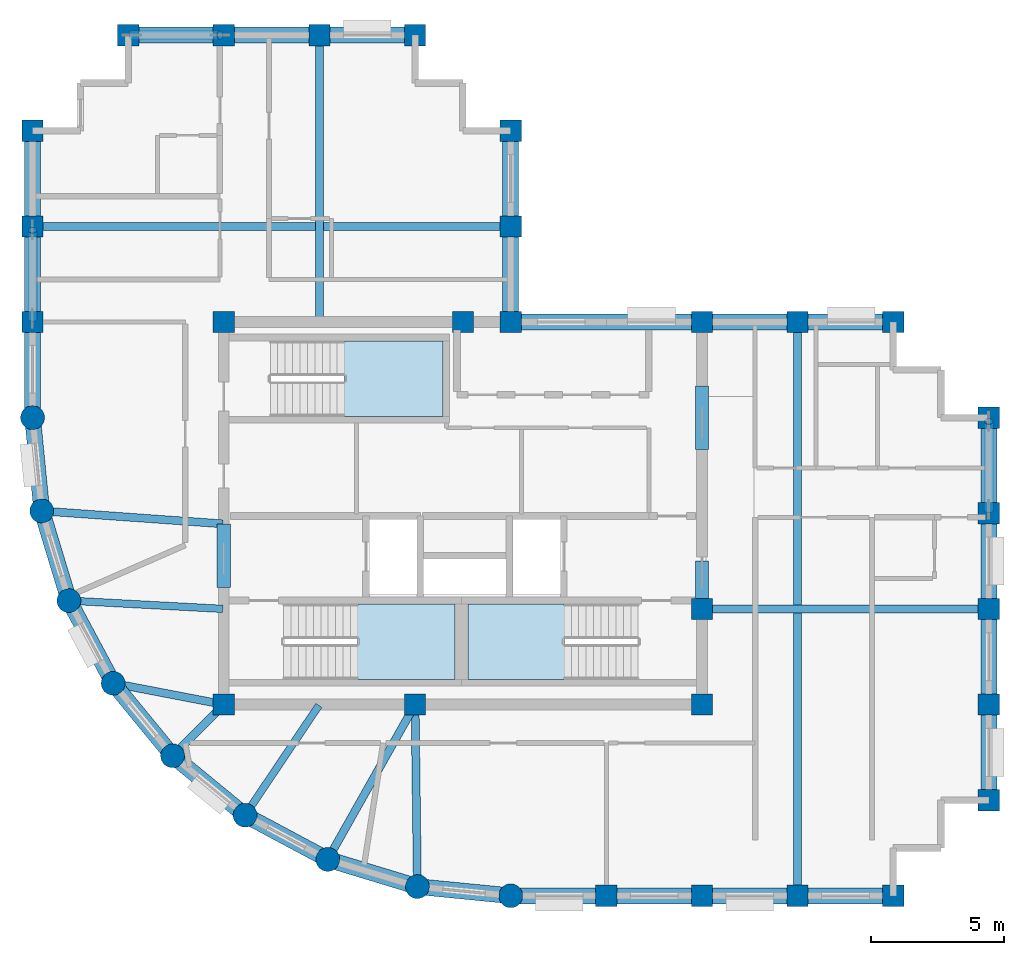
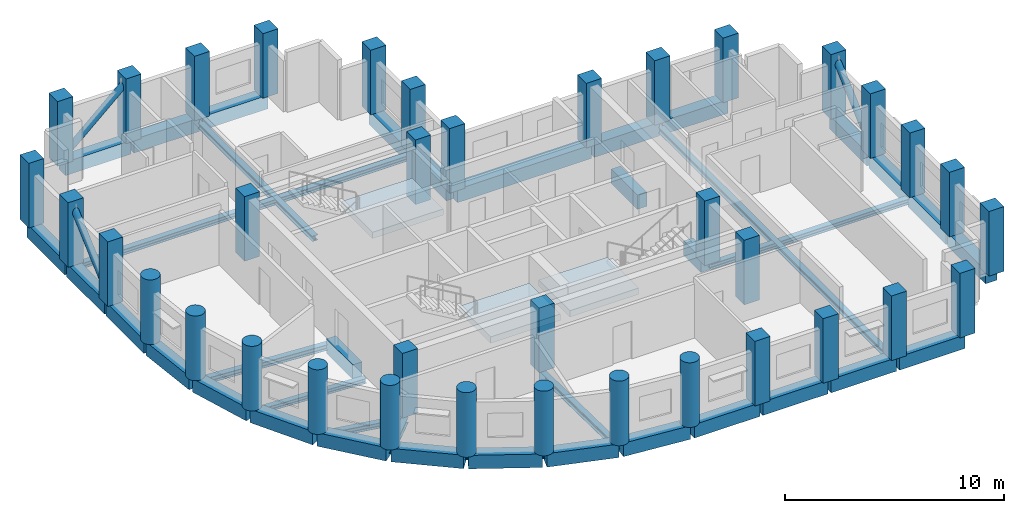
# One storey, part 1 of 7: 41 beams, 37 columns, 3 members, 3 slabs, 3 elements without a shape of their own.
"""IFC4 building model written with IfcOpenShell, lengths in metres."""

from ifc_helpers import new_model, si_unit, direction, frame, origin, origin_2d, place, context, subcontext, project, spatial, polyline, rectangle, circle, hollow_circle, i_section, outline, extrude, material, layer, layer_set, material_profile, profile_set, type_object, element, aggregate, save


model = new_model("IFC4")

# Units and contexts
model_context = context("Model", 3, precision=1e-05, world=origin(), true_north=direction((0.0, 1.0)))
body_context = subcontext(model_context, "Body", "Model", "MODEL_VIEW")
ifc_project = project(units=[si_unit("LENGTHUNIT", "METRE"), si_unit("AREAUNIT", "SQUARE_METRE"), si_unit("VOLUMEUNIT", "CUBIC_METRE"), si_unit("PLANEANGLEUNIT", "RADIAN"), si_unit("MASSUNIT", "GRAM", prefix="KILO")], contexts=[model_context])

# Site, building, storey
site_placement = place(None, origin())
site = spatial("IfcSite", under=ifc_project, at=site_placement, CompositionType="ELEMENT")
building_placement = place(site_placement, origin())
building = spatial("IfcBuilding", under=site, at=building_placement, Name="Solnavia Interchange Tower", CompositionType="ELEMENT")
storey_placement = place(building_placement, frame((0.0, 0.0, 242.60009765625)))
storey = spatial("IfcBuildingStorey", under=building, at=storey_placement, Name="L61", CompositionType="ELEMENT", Elevation=242.60009765625)

# Columns
ifc_material_1 = material(Name="Concrete C50/60", Category="concrete")
ifc_material_profile_1 = material_profile(ifc_material_1, rectangle(XDim=0.800048828125, YDim=0.800048828125, at=origin_2d()), Name="RC 800x800")
ifc_profile_set_1 = profile_set([ifc_material_profile_1], Name="Concrete C50/60")
column_type_1 = type_object("IfcColumnType", Name="Col-RC-800x800", PredefinedType="COLUMN", material=ifc_profile_set_1)
for number, where, z_axis, x_axis, name in (
    (1, (7.199951171875, 25.199951171875, 0.0), (0.0, 0.0, 1.0), (0.0, 1.0, 0.0), "COL-L61-02 Tower perim y column"),
    (2, (7.199951171875, 28.800048828125, 0.0), (0.0, 0.0, 1.0), (0.0, 1.0, 0.0), "COL-L61-03 Tower perim y column"),
    (3, (7.199951171875, 32.39990234375, 0.0), (0.0, 0.0, 1.0), (0.0, 1.0, 0.0), "COL-L61-04 Tower corner column"),
    (4, (10.800048828125, 36.0, 0.0), (0.0, 0.0, 1.0), (1.0, 0.0, 0.0), "COL-L61-08 Tower corner column"),
    (5, (14.39990234375, 10.800048828125, 0.0), (0.0, 0.0, 1.0), (1.0, 0.0, 0.0), "COL-L61-10 Tower interior column"),
    (6, (14.39990234375, 25.199951171875, 0.0), (0.0, 0.0, 1.0), (1.0, 0.0, 0.0), "COL-L61-11 Tower interior column"),
    (7, (14.39990234375, 36.0, 0.0), (0.0, 0.0, 1.0), (1.0, 0.0, 0.0), "COL-L61-12 Tower perim x column"),
    (8, (18.0, 36.0, 0.0), (0.0, 0.0, 1.0), (1.0, 0.0, 0.0), "COL-L61-14 Tower perim x column"),
    (9, (21.60009765625, 10.800048828125, 0.0), (0.0, 0.0, 1.0), (1.0, 0.0, 0.0), "COL-L61-16 Tower interior column"),
    (10, (21.60009765625, 36.0, 0.0), (0.0, 0.0, 1.0), (1.0, 0.0, 0.0), "COL-L61-17 Tower corner column"),
    (11, (23.39990234375, 25.199951171875, 0.0), (0.0, 0.0, 1.0), (1.0, 0.0, 0.0), "COL-L61-19 Tower interior column"),
    (12, (25.199951171875, 25.199951171875, 0.0), (0.0, 0.0, 1.0), (1.0, 0.0, 0.0), "COL-L61-21 Tower interior column"),
    (13, (25.199951171875, 28.800048828125, 0.0), (0.0, 0.0, 1.0), (0.0, 1.0, 0.0), "COL-L61-22 Tower perim y column"),
    (14, (25.199951171875, 32.39990234375, 0.0), (0.0, 0.0, 1.0), (0.0, 1.0, 0.0), "COL-L61-23 Tower corner column"),
    (15, (28.800048828125, 3.60009765625, 0.0), (0.0, 0.0, 1.0), (1.0, 0.0, 0.0), "COL-L61-24 Tower perim x column"),
    (16, (32.39990234375, 3.60009765625, 0.0), (0.0, 0.0, 1.0), (1.0, 0.0, 0.0), "COL-L61-25 Tower perim x column"),
    (17, (32.39990234375, 10.800048828125, 0.0), (0.0, 0.0, 1.0), (1.0, 0.0, 0.0), "COL-L61-26 Tower interior column"),
    (18, (32.39990234375, 14.39990234375, 0.0), (0.0, 0.0, 1.0), (1.0, 0.0, 0.0), "COL-L61-27 Tower interior column"),
    (19, (32.39990234375, 25.199951171875, 0.0), (0.0, 0.0, 1.0), (1.0, 0.0, 0.0), "COL-L61-28 Tower interior column"),
    (20, (36.0, 3.60009765625, 0.0), (0.0, 0.0, 1.0), (1.0, 0.0, 0.0), "COL-L61-29 Tower perim x column"),
    (21, (36.0, 25.199951171875, 0.0), (0.0, 0.0, 1.0), (1.0, 0.0, 0.0), "COL-L61-30 Tower perim x column"),
    (22, (39.60009765625, 3.60009765625, 0.0), (0.0, 0.0, 1.0), (1.0, 0.0, 0.0), "COL-L61-31 Tower corner column"),
    (23, (39.60009765625, 25.199951171875, 0.0), (0.0, 0.0, 1.0), (1.0, 0.0, 0.0), "COL-L61-32 Tower corner column"),
    (24, (43.199951171875, 7.199951171875, 0.0), (0.0, 0.0, 1.0), (1.0, 0.0, 0.0), "COL-L61-33 Tower corner column"),
    (25, (43.199951171875, 10.800048828125, 0.0), (0.0, 0.0, 1.0), (0.0, 1.0, 0.0), "COL-L61-34 Tower perim y column"),
    (26, (43.199951171875, 14.39990234375, 0.0), (0.0, 0.0, 1.0), (0.0, 1.0, 0.0), "COL-L61-35 Tower perim y column"),
    (27, (43.199951171875, 18.0, 0.0), (0.0, 0.0, 1.0), (0.0, 1.0, 0.0), "COL-L61-36 Tower perim y column"),
    (28, (43.199951171875, 21.60009765625, 0.0), (0.0, 0.0, 1.0), (0.0, 1.0, 0.0), "COL-L61-37 Tower corner column"),
):
    element("IfcColumn", number, at=place(storey_placement, frame(where, z_axis=z_axis, x_axis=x_axis)), inside=storey, type_object=column_type_1, Name=name, PredefinedType="COLUMN", context=body_context, shape_type="SweptSolid", body=[
        extrude(rectangle(XDim=0.800048828125, YDim=0.800048828125, at=origin_2d()), origin(), (0.0, 0.0, 1.0), 3.599853515625),
    ])
ifc_material_profile_2 = material_profile(ifc_material_1, circle(Radius=0.449951171875, at=origin_2d()), Name="RC D900")
ifc_profile_set_2 = profile_set([ifc_material_profile_2], Name="Concrete C50/60")
column_type_2 = type_object("IfcColumnType", Name="Col-RC-D900", PredefinedType="COLUMN", material=ifc_profile_set_2)
for number, where, z_axis, x_axis, name in (
    (29, (7.199951171875, 21.60009765625, 0.0), (0.0, 0.0, 1.0), (1.0, 0.0, 0.0), "COL-L61-01 Tower drum column"),
    (30, (7.5458984375, 18.087890625, 0.0), (0.0, 0.0, 1.0), (1.0, 0.0, 0.0), "COL-L61-05 Tower drum column"),
    (31, (8.570068359375, 14.7119140625, 0.0), (0.0, 0.0, 1.0), (1.0, 0.0, 0.0), "COL-L61-06 Tower drum column"),
    (32, (10.23388671875, 11.60009765625, 0.0), (0.0, 0.0, 1.0), (1.0, 0.0, 0.0), "COL-L61-07 Tower drum column"),
    (33, (12.471923828125, 8.8720703125, 0.0), (0.0, 0.0, 1.0), (1.0, 0.0, 0.0), "COL-L61-09 Tower drum column"),
    (34, (15.199951171875, 6.634033203125, 0.0), (0.0, 0.0, 1.0), (1.0, 0.0, 0.0), "COL-L61-13 Tower drum column"),
    (35, (18.31201171875, 4.969970703125, 0.0), (0.0, 0.0, 1.0), (1.0, 0.0, 0.0), "COL-L61-15 Tower drum column"),
    (36, (21.68798828125, 3.946044921875, 0.0), (0.0, 0.0, 1.0), (1.0, 0.0, 0.0), "COL-L61-18 Tower drum column"),
    (37, (25.199951171875, 3.60009765625, 0.0), (0.0, 0.0, 1.0), (1.0, 0.0, 0.0), "COL-L61-20 Tower drum column"),
):
    element("IfcColumn", number, at=place(storey_placement, frame(where, z_axis=z_axis, x_axis=x_axis)), inside=storey, type_object=column_type_2, Name=name, PredefinedType="COLUMN", context=body_context, shape_type="SweptSolid", body=[
        extrude(circle(Radius=0.449951171875, at=origin_2d()), origin(), (0.0, 0.0, 1.0), 3.599853515625),
    ])

# Beams
ifc_material_profile_3 = material_profile(ifc_material_1, rectangle(XDim=0.5, YDim=0.800048828125, at=origin_2d()), Name="RC 500x800")
ifc_profile_set_3 = profile_set([ifc_material_profile_3], Name="Concrete C50/60")
beam_type_1 = type_object("IfcBeamType", Name="Beam-Coupling-RC500x800", PredefinedType="LINTEL", material=ifc_profile_set_3)
beam_1_placement = place(storey_placement, frame((14.39990234375, 15.199951171875, -0.400146484375), z_axis=(0.0, 1.0, 0.0), x_axis=(-1.0, 0.0, 0.0)))
element("IfcBeam", 38, at=beam_1_placement, inside=storey, type_object=beam_type_1, Name="CPB-L61-W1 Core coupling lintel beam", PredefinedType="LINTEL", context=body_context, shape_type="SweptSolid", body=[
    extrude(rectangle(XDim=0.5, YDim=0.800048828125, at=origin_2d()), origin(), (0.0, 0.0, 1.0), 2.400146484375),
])
beam_2_placement = place(storey_placement, frame((32.39990234375, 14.60009765625, -0.400146484375), z_axis=(0.0, 1.0, 0.0), x_axis=(-1.0, 0.0, 0.0)))
element("IfcBeam", 39, at=beam_2_placement, inside=storey, type_object=beam_type_1, Name="CPB-L61-E1 Core coupling lintel beam", PredefinedType="LINTEL", context=body_context, shape_type="SweptSolid", body=[
    extrude(rectangle(XDim=0.5, YDim=0.800048828125, at=origin_2d()), origin(), (0.0, 0.0, 1.0), 1.599853515625),
])
beam_3_placement = place(storey_placement, frame((32.39990234375, 20.39990234375, -0.400146484375), z_axis=(0.0, 1.0, 0.0), x_axis=(-1.0, 0.0, 0.0)))
element("IfcBeam", 40, at=beam_3_placement, inside=storey, type_object=beam_type_1, Name="CPB-L61-E2 Core coupling lintel beam", PredefinedType="LINTEL", context=body_context, shape_type="SweptSolid", body=[
    extrude(rectangle(XDim=0.5, YDim=0.800048828125, at=origin_2d()), origin(), (0.0, 0.0, 1.0), 2.400146484375),
])
ifc_material_2 = material(Name="Steel S460", Category="steel")
ifc_material_profile_4 = material_profile(ifc_material_2, i_section(OverallWidth=0.300048828125, OverallDepth=0.300048828125, WebThickness=0.010986328125, FlangeThickness=0.01904296875, FilletRadius=0.027099609375, at=origin_2d()), Name="HEB 300")
ifc_profile_set_4 = profile_set([ifc_material_profile_4], Name="Steel S460")
beam_type_2 = type_object("IfcBeamType", Name="Beam-Girder-HEB300", PredefinedType="BEAM", material=ifc_profile_set_4)
beam_4_placement = place(storey_placement, frame((32.47998046875, 14.39990234375, -0.400146484375), z_axis=(1.0, 0.0, 0.0), x_axis=(0.0, 1.0, 0.0)))
element("IfcBeam", 41, at=beam_4_placement, inside=storey, type_object=beam_type_2, Name="GRD-L61-ES01 East wing spine girder", PredefinedType="BEAM", context=body_context, shape_type="SweptSolid", body=[
    extrude(i_section(OverallWidth=0.300048828125, OverallDepth=0.300048828125, WebThickness=0.010986328125, FlangeThickness=0.01904296875, FilletRadius=0.027099609375, at=origin_2d()), origin(), (0.0, 0.0, 1.0), 10.64013671875),
])
beam_5_placement = place(storey_placement, frame((18.0, 25.280029296875, -0.400146484375), z_axis=(0.0, 1.0, 0.0), x_axis=(-1.0, 0.0, 0.0)))
element("IfcBeam", 42, at=beam_5_placement, inside=storey, type_object=beam_type_2, Name="GRD-L61-NS03 North wing spine girder", PredefinedType="BEAM", context=body_context, shape_type="SweptSolid", body=[
    extrude(i_section(OverallWidth=0.300048828125, OverallDepth=0.300048828125, WebThickness=0.010986328125, FlangeThickness=0.01904296875, FilletRadius=0.027099609375, at=origin_2d()), origin(), (0.0, 0.0, 1.0), 10.639892578125),
])
beam_6_placement = place(storey_placement, frame((7.280029296875, 28.800048828125, -0.400146484375), z_axis=(1.0, 0.0, 0.0), x_axis=(0.0, 1.0, 0.0)))
element("IfcBeam", 43, at=beam_6_placement, inside=storey, type_object=beam_type_2, Name="GRD-L61-NW04 North wing primary floor girder", PredefinedType="BEAM", context=body_context, shape_type="SweptSolid", body=[
    extrude(i_section(OverallWidth=0.300048828125, OverallDepth=0.300048828125, WebThickness=0.010986328125, FlangeThickness=0.01904296875, FilletRadius=0.027099609375, at=origin_2d()), origin(), (0.0, 0.0, 1.0), 17.840087890625),
])
beam_7_placement = place(storey_placement, frame((10.3125, 11.5849609375, -0.400146484375), z_axis=(0.982057527796, -0.188581579428, 0.0), x_axis=(0.188581579428, 0.982057527796, 0.0)))
element("IfcBeam", 44, at=beam_7_placement, inside=storey, type_object=beam_type_2, Name="GRD-L61-DR07 Drum radial floor girder", PredefinedType="BEAM", context=body_context, shape_type="SweptSolid", body=[
    extrude(i_section(OverallWidth=0.300048828125, OverallDepth=0.300048828125, WebThickness=0.010986328125, FlangeThickness=0.01904296875, FilletRadius=0.027099609375, at=origin_2d()), origin(), (0.0, 0.0, 1.0), 4.1220703125),
])
beam_8_placement = place(storey_placement, frame((18.351318359375, 5.039794921875, -0.400146484375), z_axis=(0.491243158486, 0.871022479182, 0.0), x_axis=(-0.871022479182, 0.491243158486, 0.0)))
element("IfcBeam", 45, at=beam_8_placement, inside=storey, type_object=beam_type_2, Name="GRD-L61-DR10 Drum radial floor girder", PredefinedType="BEAM", context=body_context, shape_type="SweptSolid", body=[
    extrude(i_section(OverallWidth=0.300048828125, OverallDepth=0.300048828125, WebThickness=0.010986328125, FlangeThickness=0.01904296875, FilletRadius=0.027099609375, at=origin_2d()), origin(), (0.0, 0.0, 1.0), 6.5732421875),
])
ifc_material_3 = material(Name="Steel S355", Category="steel")
ifc_material_profile_5 = material_profile(ifc_material_3, i_section(OverallWidth=0.280029296875, OverallDepth=0.27001953125, WebThickness=0.008056640625, FlangeThickness=0.012939453125, FilletRadius=0.02392578125, at=origin_2d()), Name="HEA 280")
ifc_profile_set_5 = profile_set([ifc_material_profile_5], Name="Steel S355")
beam_type_3 = type_object("IfcBeamType", Name="Beam-Primary-HEA280", PredefinedType="BEAM", material=ifc_profile_set_5)
beam_9_placement = place(storey_placement, frame((8.64990234375, 14.707763671875, -0.385009765625), z_axis=(0.998570371303, -0.053452909696, 0.0), x_axis=(0.053452909696, 0.998570371303, 0.0)))
element("IfcBeam", 46, at=beam_9_placement, inside=storey, type_object=beam_type_3, Name="GRD-L61-DR06 Drum radial floor girder", PredefinedType="BEAM", context=body_context, shape_type="SweptSolid", body=[
    extrude(i_section(OverallWidth=0.280029296875, OverallDepth=0.27001953125, WebThickness=0.008056640625, FlangeThickness=0.012939453125, FilletRadius=0.02392578125, at=origin_2d()), origin(), (0.0, 0.0, 1.0), 5.71826171875),
])
beam_10_placement = place(storey_placement, frame((15.24462890625, 6.700439453125, -0.385009765625), z_axis=(0.557835474219, 0.829951555033, 0.0), x_axis=(-0.829951555033, 0.557835474219, 0.0)))
element("IfcBeam", 47, at=beam_10_placement, inside=storey, type_object=beam_type_3, Name="GRD-L61-DR09 Drum radial floor girder", PredefinedType="BEAM", context=body_context, shape_type="SweptSolid", body=[
    extrude(i_section(OverallWidth=0.280029296875, OverallDepth=0.27001953125, WebThickness=0.008056640625, FlangeThickness=0.012939453125, FilletRadius=0.02392578125, at=origin_2d()), origin(), (0.0, 0.0, 1.0), 4.899658203125),
])
ifc_material_profile_6 = material_profile(ifc_material_3, i_section(OverallWidth=0.300048828125, OverallDepth=0.31005859375, WebThickness=0.009033203125, FlangeThickness=0.015380859375, FilletRadius=0.027099609375, at=origin_2d()), Name="HEA 320")
ifc_profile_set_6 = profile_set([ifc_material_profile_6], Name="Steel S355")
beam_type_4 = type_object("IfcBeamType", Name="Beam-Primary-HEA320", PredefinedType="BEAM", material=ifc_profile_set_6)
beam_11_placement = place(storey_placement, frame((36.0, 3.679931640625, -0.405029296875), z_axis=(0.0, 1.0, 0.0), x_axis=(-1.0, 0.0, 0.0)))
element("IfcBeam", 48, at=beam_11_placement, inside=storey, type_object=beam_type_4, Name="GRD-L61-EW02 East wing primary floor girder", PredefinedType="BEAM", context=body_context, shape_type="SweptSolid", body=[
    extrude(i_section(OverallWidth=0.300048828125, OverallDepth=0.31005859375, WebThickness=0.009033203125, FlangeThickness=0.015380859375, FilletRadius=0.027099609375, at=origin_2d()), origin(), (0.0, 0.0, 1.0), 21.440185546875),
])
beam_12_placement = place(storey_placement, frame((7.625732421875, 18.082275390625, -0.405029296875), z_axis=(0.99747482749, -0.071020902015, 0.0), x_axis=(0.071020902015, 0.99747482749, 0.0)))
element("IfcBeam", 49, at=beam_12_placement, inside=storey, type_object=beam_type_4, Name="GRD-L61-DR05 Drum radial floor girder", PredefinedType="BEAM", context=body_context, shape_type="SweptSolid", body=[
    extrude(i_section(OverallWidth=0.300048828125, OverallDepth=0.31005859375, WebThickness=0.009033203125, FlangeThickness=0.015380859375, FilletRadius=0.027099609375, at=origin_2d()), origin(), (0.0, 0.0, 1.0), 6.75146484375),
])
beam_13_placement = place(storey_placement, frame((12.528564453125, 8.9287109375, -0.405029296875), z_axis=(0.707106781187, 0.707106781187, 0.0), x_axis=(-0.707106781187, 0.707106781187, 0.0)))
element("IfcBeam", 50, at=beam_13_placement, inside=storey, type_object=beam_type_4, Name="GRD-L61-DR08 Drum radial floor girder", PredefinedType="BEAM", context=body_context, shape_type="SweptSolid", body=[
    extrude(i_section(OverallWidth=0.300048828125, OverallDepth=0.31005859375, WebThickness=0.009033203125, FlangeThickness=0.015380859375, FilletRadius=0.027099609375, at=origin_2d()), origin(), (0.0, 0.0, 1.0), 2.6064453125),
])
beam_14_placement = place(storey_placement, frame((21.68701171875, 4.02587890625, -0.405029296875), z_axis=(-0.01283293513, 0.999917654498, 0.0), x_axis=(-0.999917654498, -0.01283293513, 0.0)))
element("IfcBeam", 51, at=beam_14_placement, inside=storey, type_object=beam_type_4, Name="GRD-L61-DR11 Drum radial floor girder", PredefinedType="BEAM", context=body_context, shape_type="SweptSolid", body=[
    extrude(i_section(OverallWidth=0.300048828125, OverallDepth=0.31005859375, WebThickness=0.009033203125, FlangeThickness=0.015380859375, FilletRadius=0.027099609375, at=origin_2d()), origin(), (0.0, 0.0, 1.0), 6.734619140625),
])
ifc_material_profile_7 = material_profile(ifc_material_1, rectangle(XDim=0.60009765625, YDim=0.75, at=origin_2d()), Name="RC 600x750")
ifc_profile_set_7 = profile_set([ifc_material_profile_7], Name="Concrete C50/60")
beam_type_5 = type_object("IfcBeamType", Name="Beam-Spandrel-RC600x750", PredefinedType="SPANDREL", material=ifc_profile_set_7)
beam_15_placement = place(storey_placement, frame((7.207763671875, 21.5205078125, -0.375), z_axis=(0.098040038117, -0.995182471171, 0.0), x_axis=(0.995182471171, 0.098040038117, 0.0)))
element("IfcBeam", 52, at=beam_15_placement, inside=storey, type_object=beam_type_5, Name="SPB-L61-01 Framed-tube perimeter spandrel beam", PredefinedType="SPANDREL", context=body_context, shape_type="SweptSolid", body=[
    extrude(rectangle(XDim=0.60009765625, YDim=0.75, at=origin_2d()), origin(), (0.0, 0.0, 1.0), 3.369140625),
])
beam_16_placement = place(storey_placement, frame((7.569091796875, 18.011474609375, -0.375), z_axis=(0.290319223646, -0.956929855518, 0.0), x_axis=(0.956929855518, 0.290319223646, 0.0)))
element("IfcBeam", 53, at=beam_16_placement, inside=storey, type_object=beam_type_5, Name="SPB-L61-02 Framed-tube perimeter spandrel beam", PredefinedType="SPANDREL", context=body_context, shape_type="SweptSolid", body=[
    extrude(rectangle(XDim=0.60009765625, YDim=0.75, at=origin_2d()), origin(), (0.0, 0.0, 1.0), 3.367919921875),
])
beam_17_placement = place(storey_placement, frame((8.607666015625, 14.6416015625, -0.375), z_axis=(0.471509422952, -0.881861023102, 0.0), x_axis=(0.881861023102, 0.471509422952, 0.0)))
element("IfcBeam", 54, at=beam_17_placement, inside=storey, type_object=beam_type_5, Name="SPB-L61-03 Framed-tube perimeter spandrel beam", PredefinedType="SPANDREL", context=body_context, shape_type="SweptSolid", body=[
    extrude(rectangle(XDim=0.60009765625, YDim=0.75, at=origin_2d()), origin(), (0.0, 0.0, 1.0), 3.369140625),
])
for number, where, z_axis, x_axis, name in (
    (55, (10.28466796875, 11.5380859375, -0.375), (0.634298841675, -0.773087950656, 0.0), (0.773087950656, 0.634298841675, 0.0), "SPB-L61-04 Framed-tube perimeter spandrel beam"),
    (56, (12.53369140625, 8.8212890625, -0.375), (0.773152644452, -0.634219984214, 0.0), (0.634219984214, 0.773152644452, 0.0), "SPB-L61-05 Framed-tube perimeter spandrel beam"),
):
    element("IfcBeam", number, at=place(storey_placement, frame(where, z_axis=z_axis, x_axis=x_axis)), inside=storey, type_object=beam_type_5, Name=name, PredefinedType="SPANDREL", context=body_context, shape_type="SweptSolid", body=[
        extrude(rectangle(XDim=0.60009765625, YDim=0.75, at=origin_2d()), origin(), (0.0, 0.0, 1.0), 3.36865234375),
    ])
beam_18_placement = place(storey_placement, frame((15.2705078125, 6.59619140625, -0.375), z_axis=(0.881875044348, -0.47148319817, 0.0), x_axis=(0.47148319817, 0.881875044348, 0.0)))
element("IfcBeam", 57, at=beam_18_placement, inside=storey, type_object=beam_type_5, Name="SPB-L61-06 Framed-tube perimeter spandrel beam", PredefinedType="SPANDREL", context=body_context, shape_type="SweptSolid", body=[
    extrude(rectangle(XDim=0.60009765625, YDim=0.75, at=origin_2d()), origin(), (0.0, 0.0, 1.0), 3.368896484375),
])
beam_19_placement = place(storey_placement, frame((18.388671875, 4.94677734375, -0.375), z_axis=(0.956943884494, -0.290272978297, 0.0), x_axis=(0.290272978297, 0.956943884494, 0.0)))
element("IfcBeam", 58, at=beam_19_placement, inside=storey, type_object=beam_type_5, Name="SPB-L61-07 Framed-tube perimeter spandrel beam", PredefinedType="SPANDREL", context=body_context, shape_type="SweptSolid", body=[
    extrude(rectangle(XDim=0.60009765625, YDim=0.75, at=origin_2d()), origin(), (0.0, 0.0, 1.0), 3.36767578125),
])
beam_20_placement = place(storey_placement, frame((21.767578125, 3.938232421875, -0.375), z_axis=(0.995181774609, -0.098047108501, 0.0), x_axis=(0.098047108501, 0.995181774609, 0.0)))
element("IfcBeam", 59, at=beam_20_placement, inside=storey, type_object=beam_type_5, Name="SPB-L61-08 Framed-tube perimeter spandrel beam", PredefinedType="SPANDREL", context=body_context, shape_type="SweptSolid", body=[
    extrude(rectangle(XDim=0.60009765625, YDim=0.75, at=origin_2d()), origin(), (0.0, 0.0, 1.0), 3.368896484375),
])
beam_21_placement = place(storey_placement, frame((25.280029296875, 3.60009765625, -0.375), z_axis=(1.0, 0.0, 0.0), x_axis=(0.0, 1.0, 0.0)))
element("IfcBeam", 60, at=beam_21_placement, inside=storey, type_object=beam_type_5, Name="SPB-L61-09 Framed-tube perimeter spandrel beam", PredefinedType="SPANDREL", context=body_context, shape_type="SweptSolid", body=[
    extrude(rectangle(XDim=0.60009765625, YDim=0.75, at=origin_2d()), origin(), (0.0, 0.0, 1.0), 3.43994140625),
])
beam_22_placement = place(storey_placement, frame((28.8798828125, 3.60009765625, -0.375), z_axis=(1.0, 0.0, 0.0), x_axis=(0.0, 1.0, 0.0)))
element("IfcBeam", 61, at=beam_22_placement, inside=storey, type_object=beam_type_5, Name="SPB-L61-10 Framed-tube perimeter spandrel beam", PredefinedType="SPANDREL", context=body_context, shape_type="SweptSolid", body=[
    extrude(rectangle(XDim=0.60009765625, YDim=0.75, at=origin_2d()), origin(), (0.0, 0.0, 1.0), 3.440185546875),
])
for number, where, z_axis, x_axis, name in (
    (62, (32.47998046875, 3.60009765625, -0.375), (1.0, 0.0, 0.0), (0.0, 1.0, 0.0), "SPB-L61-11 Framed-tube perimeter spandrel beam"),
    (63, (36.080078125, 3.60009765625, -0.375), (1.0, 0.0, 0.0), (0.0, 1.0, 0.0), "SPB-L61-12 Framed-tube perimeter spandrel beam"),
    (64, (43.199951171875, 7.280029296875, -0.375), (0.0, 1.0, 0.0), (-1.0, 0.0, 0.0), "SPB-L61-13 Framed-tube perimeter spandrel beam"),
):
    element("IfcBeam", number, at=place(storey_placement, frame(where, z_axis=z_axis, x_axis=x_axis)), inside=storey, type_object=beam_type_5, Name=name, PredefinedType="SPANDREL", context=body_context, shape_type="SweptSolid", body=[
        extrude(rectangle(XDim=0.60009765625, YDim=0.75, at=origin_2d()), origin(), (0.0, 0.0, 1.0), 3.43994140625),
    ])
beam_23_placement = place(storey_placement, frame((43.199951171875, 10.8798828125, -0.375), z_axis=(0.0, 1.0, 0.0), x_axis=(-1.0, 0.0, 0.0)))
element("IfcBeam", 65, at=beam_23_placement, inside=storey, type_object=beam_type_5, Name="SPB-L61-14 Framed-tube perimeter spandrel beam", PredefinedType="SPANDREL", context=body_context, shape_type="SweptSolid", body=[
    extrude(rectangle(XDim=0.60009765625, YDim=0.75, at=origin_2d()), origin(), (0.0, 0.0, 1.0), 3.440185546875),
])
for number, where, z_axis, x_axis, name in (
    (66, (43.199951171875, 14.47998046875, -0.375), (0.0, 1.0, 0.0), (-1.0, 0.0, 0.0), "SPB-L61-15 Framed-tube perimeter spandrel beam"),
    (67, (43.199951171875, 18.080078125, -0.375), (0.0, 1.0, 0.0), (-1.0, 0.0, 0.0), "SPB-L61-16 Framed-tube perimeter spandrel beam"),
    (68, (39.52001953125, 25.199951171875, -0.375), (-1.0, 0.0, 0.0), (0.0, -1.0, 0.0), "SPB-L61-17 Framed-tube perimeter spandrel beam"),
    (69, (35.919921875, 25.199951171875, -0.375), (-1.0, 0.0, 0.0), (0.0, -1.0, 0.0), "SPB-L61-18 Framed-tube perimeter spandrel beam"),
):
    element("IfcBeam", number, at=place(storey_placement, frame(where, z_axis=z_axis, x_axis=x_axis)), inside=storey, type_object=beam_type_5, Name=name, PredefinedType="SPANDREL", context=body_context, shape_type="SweptSolid", body=[
        extrude(rectangle(XDim=0.60009765625, YDim=0.75, at=origin_2d()), origin(), (0.0, 0.0, 1.0), 3.43994140625),
    ])
beam_24_placement = place(storey_placement, frame((32.320068359375, 25.199951171875, -0.375), z_axis=(-1.0, 0.0, 0.0), x_axis=(0.0, -1.0, 0.0)))
element("IfcBeam", 70, at=beam_24_placement, inside=storey, type_object=beam_type_5, Name="SPB-L61-19 Framed-tube perimeter spandrel beam", PredefinedType="SPANDREL", context=body_context, shape_type="SweptSolid", body=[
    extrude(rectangle(XDim=0.60009765625, YDim=0.75, at=origin_2d()), origin(), (0.0, 0.0, 1.0), 7.0400390625),
])
beam_25_placement = place(storey_placement, frame((25.199951171875, 25.280029296875, -0.375), z_axis=(0.0, 1.0, 0.0), x_axis=(-1.0, 0.0, 0.0)))
element("IfcBeam", 71, at=beam_25_placement, inside=storey, type_object=beam_type_5, Name="SPB-L61-20 Framed-tube perimeter spandrel beam", PredefinedType="SPANDREL", context=body_context, shape_type="SweptSolid", body=[
    extrude(rectangle(XDim=0.60009765625, YDim=0.75, at=origin_2d()), origin(), (0.0, 0.0, 1.0), 3.43994140625),
])
beam_26_placement = place(storey_placement, frame((25.199951171875, 28.8798828125, -0.375), z_axis=(0.0, 1.0, 0.0), x_axis=(-1.0, 0.0, 0.0)))
element("IfcBeam", 72, at=beam_26_placement, inside=storey, type_object=beam_type_5, Name="SPB-L61-21 Framed-tube perimeter spandrel beam", PredefinedType="SPANDREL", context=body_context, shape_type="SweptSolid", body=[
    extrude(rectangle(XDim=0.60009765625, YDim=0.75, at=origin_2d()), origin(), (0.0, 0.0, 1.0), 3.440185546875),
])
for number, where, z_axis, x_axis, name in (
    (73, (21.52001953125, 36.0, -0.375), (-1.0, 0.0, 0.0), (0.0, -1.0, 0.0), "SPB-L61-22 Framed-tube perimeter spandrel beam"),
    (74, (17.919921875, 36.0, -0.375), (-1.0, 0.0, 0.0), (0.0, -1.0, 0.0), "SPB-L61-23 Framed-tube perimeter spandrel beam"),
):
    element("IfcBeam", number, at=place(storey_placement, frame(where, z_axis=z_axis, x_axis=x_axis)), inside=storey, type_object=beam_type_5, Name=name, PredefinedType="SPANDREL", context=body_context, shape_type="SweptSolid", body=[
        extrude(rectangle(XDim=0.60009765625, YDim=0.75, at=origin_2d()), origin(), (0.0, 0.0, 1.0), 3.43994140625),
    ])
for number, where, z_axis, x_axis, name in (
    (75, (14.320068359375, 36.0, -0.375), (-1.0, 0.0, 0.0), (0.0, -1.0, 0.0), "SPB-L61-24 Framed-tube perimeter spandrel beam"),
    (76, (7.199951171875, 32.320068359375, -0.375), (0.0, -1.0, 0.0), (1.0, 0.0, 0.0), "SPB-L61-25 Framed-tube perimeter spandrel beam"),
):
    element("IfcBeam", number, at=place(storey_placement, frame(where, z_axis=z_axis, x_axis=x_axis)), inside=storey, type_object=beam_type_5, Name=name, PredefinedType="SPANDREL", context=body_context, shape_type="SweptSolid", body=[
        extrude(rectangle(XDim=0.60009765625, YDim=0.75, at=origin_2d()), origin(), (0.0, 0.0, 1.0), 3.440185546875),
    ])
beam_27_placement = place(storey_placement, frame((7.199951171875, 28.719970703125, -0.375), z_axis=(0.0, -1.0, 0.0), x_axis=(1.0, 0.0, 0.0)))
element("IfcBeam", 77, at=beam_27_placement, inside=storey, type_object=beam_type_5, Name="SPB-L61-26 Framed-tube perimeter spandrel beam", PredefinedType="SPANDREL", context=body_context, shape_type="SweptSolid", body=[
    extrude(rectangle(XDim=0.60009765625, YDim=0.75, at=origin_2d()), origin(), (0.0, 0.0, 1.0), 3.43994140625),
])
beam_28_placement = place(storey_placement, frame((7.199951171875, 25.1201171875, -0.375), z_axis=(0.0, -1.0, 0.0), x_axis=(1.0, 0.0, 0.0)))
element("IfcBeam", 78, at=beam_28_placement, inside=storey, type_object=beam_type_5, Name="SPB-L61-27 Framed-tube perimeter spandrel beam", PredefinedType="SPANDREL", context=body_context, shape_type="SweptSolid", body=[
    extrude(rectangle(XDim=0.60009765625, YDim=0.75, at=origin_2d()), origin(), (0.0, 0.0, 1.0), 3.440185546875),
])

# Members
ifc_material_profile_8 = material_profile(ifc_material_2, hollow_circle(Radius=0.177734375, WallThickness=0.01611328125, at=origin_2d()), Name="CHS 355.6x16")
ifc_profile_set_8 = profile_set([ifc_material_profile_8], Name="Steel S460")
member_type = type_object("IfcMemberType", Name="Brace-Perim-CHS355", PredefinedType="BRACE", material=ifc_profile_set_8)
member_placement = place(storey_placement, frame((7.199951171875, 25.340087890625, 0.179931640625), z_axis=(0.0, 0.743054991638, 0.669230363479), x_axis=(-1.0, 0.0, 0.0)))
element("IfcMember", 79, at=member_placement, inside=storey, type_object=member_type, Name="BRC-L61-01 Perimeter tube diagonal brace", PredefinedType="BRACE", context=body_context, shape_type="SweptSolid", body=[
    extrude(hollow_circle(Radius=0.177734375, WallThickness=0.01611328125, at=origin_2d()), origin(), (0.0, 0.0, 1.0), 4.4677734375),
])
for number, where, z_axis, x_axis, name in (
    (80, (43.199951171875, 18.139892578125, 0.179931640625), (0.0, 0.74307946371, 0.669203190827), (-1.0, 0.0, 0.0), "BRC-L61-02 Perimeter tube diagonal brace"),
    (81, (10.93994140625, 36.0, 0.179931640625), (0.74307946371, 0.0, 0.669203190827), (0.0, 1.0, 0.0), "BRC-L61-03 Perimeter tube diagonal brace"),
):
    element("IfcMember", number, at=place(storey_placement, frame(where, z_axis=z_axis, x_axis=x_axis)), inside=storey, type_object=member_type, Name=name, PredefinedType="BRACE", context=body_context, shape_type="SweptSolid", body=[
        extrude(hollow_circle(Radius=0.177734375, WallThickness=0.01611328125, at=origin_2d()), origin(), (0.0, 0.0, 1.0), 4.468017578125),
    ])

# Stair, slab
ifc_material_4 = material(Name="Concrete C40/50", Category="concrete")
stair_type = type_object("IfcStairType", Name="Stair-Dogleg-RC", PredefinedType="HALF_TURN_STAIR", material=ifc_material_4)
stair_1_placement = place(storey_placement, origin())
stair_1 = element("IfcStair", 82, at=stair_1_placement, inside=storey, type_object=stair_type, Name="L61 Core exit stair 1", PredefinedType="HALF_TURN_STAIR")
ifc_layer = layer(ifc_material_4, 0.35009765625)
ifc_layer_set = layer_set([ifc_layer], Name="Concrete C40/50")
slab_type = type_object("IfcSlabType", Name="Slab-StairLanding-350", PredefinedType="LANDING", material=ifc_layer_set)
slab_1_placement = place(storey_placement, frame((0.0, 0.0, 1.449951171875)))
slab_1 = element("IfcSlab", 83, at=slab_1_placement, type_object=slab_type, Name="ST-1 landing 1", PredefinedType="LANDING", context=body_context, shape_type="SweptSolid", body=[
    extrude(outline(polyline([(19.427978515625, 11.75), (23.10009765625, 11.75), (23.10009765625, 14.590087890625), (19.427978515625, 14.590087890625), (19.427978515625, 11.75)])), origin(), (0.0, 0.0, 1.0), 0.349853515625),
])
aggregate(stair_1, [slab_1])

stair_2_placement = place(storey_placement, origin())
stair_2 = element("IfcStair", 84, at=stair_2_placement, inside=storey, type_object=stair_type, Name="L61 Core exit stair 2", PredefinedType="HALF_TURN_STAIR")
slab_2_placement = place(storey_placement, frame((0.0, 0.0, 1.449951171875)))
slab_2 = element("IfcSlab", 85, at=slab_2_placement, type_object=slab_type, Name="ST-2 landing 1", PredefinedType="LANDING", context=body_context, shape_type="SweptSolid", body=[
    extrude(outline(polyline([(23.60009765625, 11.75), (27.221923828125, 11.75), (27.221923828125, 14.590087890625), (23.60009765625, 14.590087890625), (23.60009765625, 11.75)])), origin(), (0.0, 0.0, 1.0), 0.349853515625),
])
aggregate(stair_2, [slab_2])

stair_3_placement = place(storey_placement, origin())
stair_3 = element("IfcStair", 86, at=stair_3_placement, inside=storey, type_object=stair_type, Name="L61 Core exit stair 3", PredefinedType="HALF_TURN_STAIR")
slab_3_placement = place(storey_placement, frame((0.0, 0.0, 1.449951171875)))
slab_3 = element("IfcSlab", 87, at=slab_3_placement, type_object=slab_type, Name="ST-3 landing 1", PredefinedType="LANDING", context=body_context, shape_type="SweptSolid", body=[
    extrude(outline(polyline([(18.927978515625, 21.64990234375), (22.64990234375, 21.64990234375), (22.64990234375, 24.489990234375), (18.927978515625, 24.489990234375), (18.927978515625, 21.64990234375)])), origin(), (0.0, 0.0, 1.0), 0.349853515625),
])
aggregate(stair_3, [slab_3])

save(model, "model.ifc")
